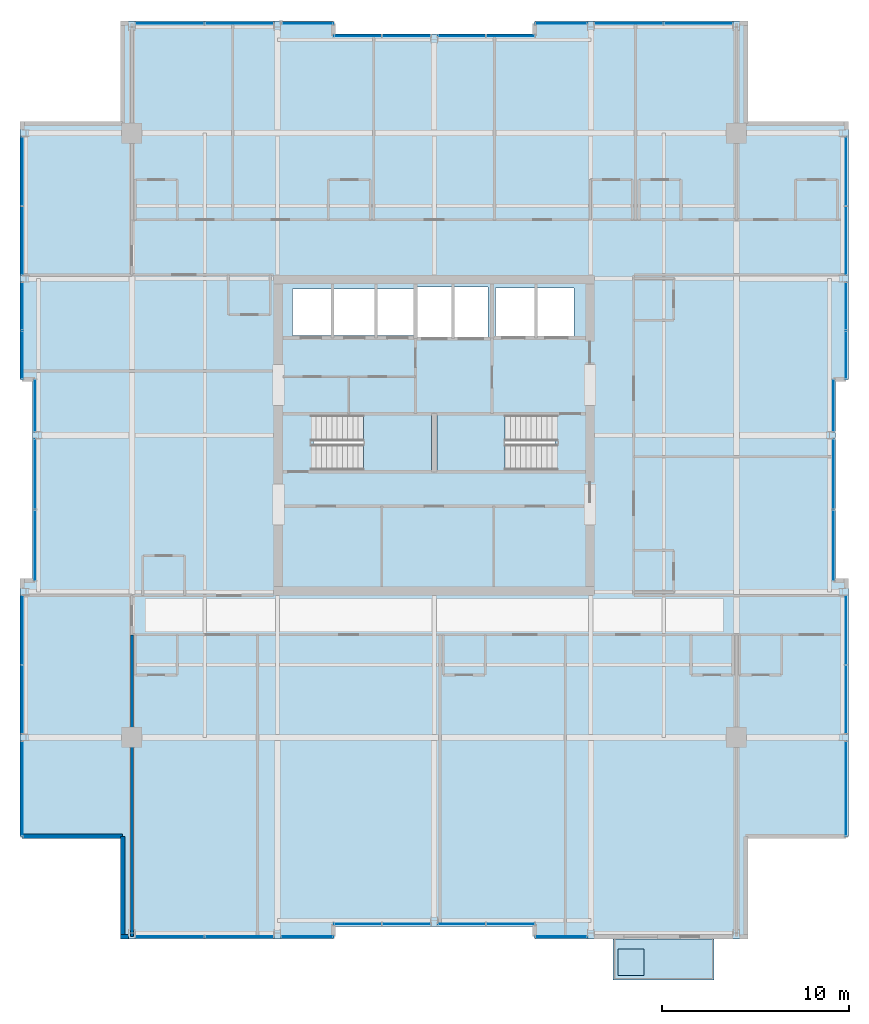
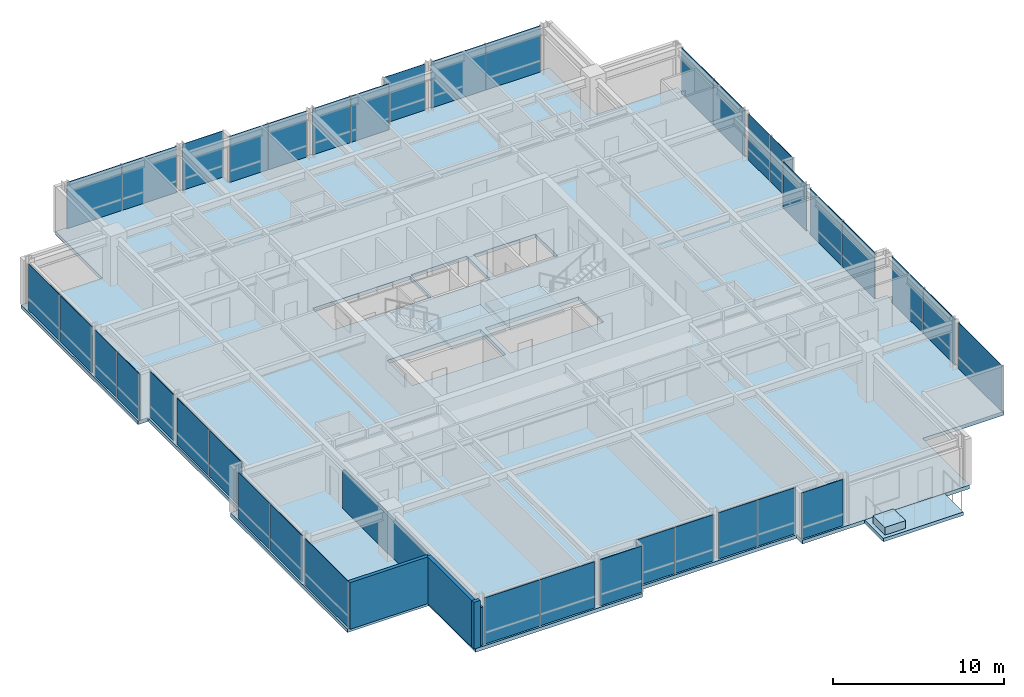
# One storey, part 25 of 31: 38 plates, 5 slabs, 4 walls, 25 elements without a shape of their own.
"""IFC4 building model written with IfcOpenShell, lengths in metres."""

from ifc_helpers import new_model, si_unit, direction, frame, frame_2d, origin, origin_2d, place, context, subcontext, project, spatial, polyline, rectangle, outline, extrude, material, layer, layer_set, type_object, element, aggregate, save


model = new_model("IFC4")

# Units and contexts
model_context = context("Model", 3, precision=1e-05, world=origin(), true_north=direction((0.0, 1.0)))
body_context = subcontext(model_context, "Body", "Model", "MODEL_VIEW")
ifc_project = project(units=[si_unit("LENGTHUNIT", "METRE"), si_unit("AREAUNIT", "SQUARE_METRE"), si_unit("VOLUMEUNIT", "CUBIC_METRE"), si_unit("PLANEANGLEUNIT", "RADIAN"), si_unit("MASSUNIT", "GRAM", prefix="KILO")], contexts=[model_context])

# Site, building, storey
site_placement = place(None, origin())
site = spatial("IfcSite", under=ifc_project, at=site_placement, CompositionType="ELEMENT")
building_placement = place(site_placement, origin())
building = spatial("IfcBuilding", under=site, at=building_placement, Name="Drelvath Grand Hotel", CompositionType="ELEMENT")
storey_placement = place(building_placement, frame((0.0, 0.0, 244.699951171875)))
storey = spatial("IfcBuildingStorey", under=building, at=storey_placement, Name="L64", CompositionType="ELEMENT", Elevation=244.699951171875)

# Slabs
ifc_material_1 = material(Name="Concrete f'c 40 MPa", Category="concrete")
ifc_layer_1 = layer(ifc_material_1, 0.239990234375)
ifc_layer_set_1 = layer_set([ifc_layer_1], Name="Concrete f'c 40 MPa")
slab_type_1 = type_object("IfcSlabType", Name="Cantilevered Tree Balcony Slab 240", PredefinedType="FLOOR", material=ifc_layer_set_1)
slab_1_placement = place(storey_placement, frame((0.0, 0.0, -0.239990234375)))
element("IfcSlab", 1, at=slab_1_placement, inside=storey, type_object=slab_type_1, Name="L64 Cantilevered Tree Balcony Slab 1", PredefinedType="FLOOR", context=body_context, shape_type="SweptSolid", body=[
    extrude(outline(polyline([(9.60009765625, -2.199951171875), (15.0, -2.199951171875), (15.0, 0.0), (9.60009765625, 0.0), (9.60009765625, -2.199951171875)])), origin(), (0.0, 0.0, 1.0), 0.239990234375),
])
ifc_layer_2 = layer(ifc_material_1, 0.260009765625)
ifc_layer_set_2 = layer_set([ifc_layer_2], Name="Concrete f'c 40 MPa")
slab_type_2 = type_object("IfcSlabType", Name="Composite RC Floor Slab 260", PredefinedType="FLOOR", material=ifc_layer_set_2)
slab_2_placement = place(storey_placement, frame((0.0, 0.0, -0.260009765625)))
element("IfcSlab", 2, at=slab_2_placement, inside=storey, type_object=slab_type_2, Name="L64 Structural Floor Slab", PredefinedType="FLOOR", context=body_context, shape_type="SweptSolid", body=[
    extrude(outline(polyline([(-16.699951171875, 0.0), (-5.39990234375, 0.0), (-5.39990234375, 0.679931640625), (5.39990234375, 0.679931640625), (5.39990234375, 0.0), (16.699951171875, 0.0), (16.699951171875, 5.5), (22.199951171875, 5.5), (22.199951171875, 19.199951171875), (21.52001953125, 19.199951171875), (21.52001953125, 30.0), (22.199951171875, 30.0), (22.199951171875, 43.699951171875), (16.699951171875, 43.699951171875), (16.699951171875, 49.199951171875), (5.39990234375, 49.199951171875), (5.39990234375, 48.52001953125), (-5.39990234375, 48.52001953125), (-5.39990234375, 49.199951171875), (-16.699951171875, 49.199951171875), (-16.699951171875, 43.699951171875), (-22.199951171875, 43.699951171875), (-22.199951171875, 30.0), (-21.52001953125, 30.0), (-21.52001953125, 19.199951171875), (-22.199951171875, 19.199951171875), (-22.199951171875, 5.5), (-16.699951171875, 5.5), (-16.699951171875, 0.0)]), holes=[polyline([(-6.47998046875, 25.1201171875), (-6.47998046875, 28.080078125), (-0.14990234375, 28.080078125), (-0.14990234375, 25.1201171875), (-6.47998046875, 25.1201171875)]), polyline([(0.14990234375, 25.1201171875), (0.14990234375, 28.080078125), (6.47998046875, 28.080078125), (6.47998046875, 25.1201171875), (0.14990234375, 25.1201171875)]), polyline([(-7.60009765625, 32.35009765625), (-7.60009765625, 34.85009765625), (-1.02001953125, 34.85009765625), (-1.02001953125, 32.35009765625), (-7.60009765625, 32.35009765625)]), polyline([(-0.89990234375, 32.25), (-0.89990234375, 34.949951171875), (2.89990234375, 34.949951171875), (2.89990234375, 32.25), (-0.89990234375, 32.25)]), polyline([(3.300048828125, 32.300048828125), (3.300048828125, 34.89990234375), (7.5, 34.89990234375), (7.5, 32.300048828125), (3.300048828125, 32.300048828125)])]), origin(), (0.0, 0.0, 1.0), 0.260009765625),
])

# Stair, slab
ifc_material_2 = material(Name="Concrete C40/50", Category="concrete")
stair_type = type_object("IfcStairType", Name="Dogleg Exit Stair W1400-R163.6", PredefinedType="HALF_TURN_STAIR", material=ifc_material_2)
stair_1_placement = place(storey_placement, origin())
stair_1 = element("IfcStair", 3, at=stair_1_placement, inside=storey, type_object=stair_type, Name="L64 Core Exit Stair ST-1", PredefinedType="HALF_TURN_STAIR")
ifc_layer_3 = layer(ifc_material_2, 0.199951171875)
ifc_layer_set_3 = layer_set([ifc_layer_3], Name="Concrete C40/50")
slab_type_3 = type_object("IfcSlabType", Name="Concrete Stair Landing Slab 200", PredefinedType="LANDING", material=ifc_layer_set_3)
slab_3_placement = place(storey_placement, frame((0.0, 0.0, 1.60009765625)))
slab_3 = element("IfcSlab", 4, at=slab_3_placement, type_object=slab_type_3, Name="ST-1 landing 1", PredefinedType="LANDING", context=body_context, shape_type="SweptSolid", body=[
    extrude(outline(polyline([(-3.800048828125, 25.1201171875), (-0.14990234375, 25.1201171875), (-0.14990234375, 28.080078125), (-3.800048828125, 28.080078125), (-3.800048828125, 25.1201171875)])), origin(), (0.0, 0.0, 1.0), 0.199951171875),
])
aggregate(stair_1, [slab_3])

stair_2_placement = place(storey_placement, origin())
stair_2 = element("IfcStair", 5, at=stair_2_placement, inside=storey, type_object=stair_type, Name="L64 Core Exit Stair ST-2", PredefinedType="HALF_TURN_STAIR")
slab_4_placement = place(storey_placement, frame((0.0, 0.0, 1.60009765625)))
slab_4 = element("IfcSlab", 6, at=slab_4_placement, type_object=slab_type_3, Name="ST-2 landing 1", PredefinedType="LANDING", context=body_context, shape_type="SweptSolid", body=[
    extrude(outline(polyline([(3.800048828125, 28.080078125), (0.14990234375, 28.080078125), (0.14990234375, 25.1201171875), (3.800048828125, 25.1201171875), (3.800048828125, 28.080078125)])), origin(), (0.0, 0.0, 1.0), 0.199951171875),
])
aggregate(stair_2, [slab_4])

# Curtain wall, plate
ifc_material_3 = material(Name="Platinum-Mist Anodised Aluminium Frame", Category="aluminium")
ifc_layer_4 = layer(ifc_material_3, 0.199951171875)
ifc_layer_set_4 = layer_set([ifc_layer_4], Name="Platinum-Mist Anodised Aluminium Frame")
curtain_wall_type = type_object("IfcCurtainWallType", Name="Stick Curtain Wall CW-05 Platinum Mist High-Rise", PredefinedType="NOTDEFINED", material=ifc_layer_set_4)
curtain_wall_1_placement = place(storey_placement, origin())
curtain_wall_1 = element("IfcCurtainWall", 7, at=curtain_wall_1_placement, inside=storey, type_object=curtain_wall_type, Name="L64 CW-05 Curtain Wall CW05-L64-WS1", PredefinedType="NOTDEFINED")
ifc_material_4 = material(Name="Low-E Triple Silver High-Altitude Glass", Category="glass")
ifc_layer_5 = layer(ifc_material_4, 0.035888671875)
ifc_layer_set_5 = layer_set([ifc_layer_5], Name="Low-E Triple Silver High-Altitude Glass")
plate_type = type_object("IfcPlateType", Name="Curtain Wall Vision Panel CW-05 36mm", PredefinedType="CURTAIN_PANEL", material=ifc_layer_set_5)
plate_1_placement = place(storey_placement, frame((-22.080078125, 8.060791015625, 0.02001953125), z_axis=(0.0, 0.0, 1.0), x_axis=(0.0, 1.0, 0.0)))
plate_1 = element("IfcPlate", 8, at=plate_1_placement, type_object=plate_type, Name="CW05-L64-WS1 Glazed Panel 1", PredefinedType="CURTAIN_PANEL", context=body_context, shape_type="SweptSolid", body=[
    extrude(rectangle(XDim=5.081787109375, YDim=0.035888671875, at=origin_2d()), origin(), (0.0, 0.0, 1.0), 3.300048828125),
])
aggregate(curtain_wall_1, [plate_1])

# Curtain wall, plates
curtain_wall_2_placement = place(storey_placement, origin())
curtain_wall_2 = element("IfcCurtainWall", 9, at=curtain_wall_2_placement, inside=storey, type_object=curtain_wall_type, Name="L64 CW-05 Curtain Wall CW05-L64-WS2", PredefinedType="NOTDEFINED")
plate_2_placement = place(storey_placement, frame((-22.080078125, 12.839111328125, 0.02001953125), z_axis=(0.0, 0.0, 1.0), x_axis=(0.0, 1.0, 0.0)))
plate_2 = element("IfcPlate", 10, at=plate_2_placement, type_object=plate_type, Name="CW05-L64-WS2 Glazed Panel 1", PredefinedType="CURTAIN_PANEL", context=body_context, shape_type="SweptSolid", body=[
    extrude(rectangle(XDim=3.681884765625, YDim=0.035888671875, at=origin_2d()), origin(), (0.0, 0.0, 1.0), 3.300048828125),
])
plate_3_placement = place(storey_placement, frame((-22.080078125, 16.560791015625, 0.02001953125), z_axis=(0.0, 0.0, 1.0), x_axis=(0.0, 1.0, 0.0)))
plate_3 = element("IfcPlate", 11, at=plate_3_placement, type_object=plate_type, Name="CW05-L64-WS2 Glazed Panel 2", PredefinedType="CURTAIN_PANEL", context=body_context, shape_type="SweptSolid", body=[
    extrude(rectangle(XDim=3.681884765625, YDim=0.035888671875, at=origin_2d()), origin(), (0.0, 0.0, 1.0), 3.300048828125),
])
aggregate(curtain_wall_2, [plate_2, plate_3])

curtain_wall_3_placement = place(storey_placement, origin())
curtain_wall_3 = element("IfcCurtainWall", 12, at=curtain_wall_3_placement, inside=storey, type_object=curtain_wall_type, Name="L64 CW-05 Curtain Wall CW05-L64-WM1", PredefinedType="NOTDEFINED")
plate_4_placement = place(storey_placement, frame((-21.39990234375, 21.10546875, 0.02001953125), z_axis=(0.0, 0.0, 1.0), x_axis=(0.0, 1.0, 0.0)))
plate_4 = element("IfcPlate", 13, at=plate_4_placement, type_object=plate_type, Name="CW05-L64-WM1 Glazed Panel 1", PredefinedType="CURTAIN_PANEL", context=body_context, shape_type="SweptSolid", body=[
    extrude(rectangle(XDim=3.77099609375, YDim=0.035888671875, at=origin_2d()), origin(), (0.0, 0.0, 1.0), 3.300048828125),
])
plate_5_placement = place(storey_placement, frame((-21.39990234375, 24.91650390625, 0.02001953125), z_axis=(0.0, 0.0, 1.0), x_axis=(0.0, 1.0, 0.0)))
plate_5 = element("IfcPlate", 14, at=plate_5_placement, type_object=plate_type, Name="CW05-L64-WM1 Glazed Panel 2", PredefinedType="CURTAIN_PANEL", context=body_context, shape_type="SweptSolid", body=[
    extrude(rectangle(XDim=3.77099609375, YDim=0.035888671875, at=origin_2d()), origin(), (0.0, 0.0, 1.0), 3.300048828125),
])
aggregate(curtain_wall_3, [plate_4, plate_5])

# Curtain wall, plate
curtain_wall_4_placement = place(storey_placement, origin())
curtain_wall_4 = element("IfcCurtainWall", 15, at=curtain_wall_4_placement, inside=storey, type_object=curtain_wall_type, Name="L64 CW-05 Curtain Wall CW05-L64-WM2", PredefinedType="NOTDEFINED")
plate_6_placement = place(storey_placement, frame((-21.39990234375, 28.589111328125, 0.02001953125), z_axis=(0.0, 0.0, 1.0), x_axis=(0.0, 1.0, 0.0)))
plate_6 = element("IfcPlate", 16, at=plate_6_placement, type_object=plate_type, Name="CW05-L64-WM2 Glazed Panel 1", PredefinedType="CURTAIN_PANEL", context=body_context, shape_type="SweptSolid", body=[
    extrude(rectangle(XDim=2.78173828125, YDim=0.035888671875, at=origin_2d()), origin(), (0.0, 0.0, 1.0), 3.300048828125),
])
aggregate(curtain_wall_4, [plate_6])

# Curtain wall, plates
curtain_wall_5_placement = place(storey_placement, origin())
curtain_wall_5 = element("IfcCurtainWall", 17, at=curtain_wall_5_placement, inside=storey, type_object=curtain_wall_type, Name="L64 CW-05 Curtain Wall CW05-L64-WN1", PredefinedType="NOTDEFINED")
plate_7_placement = place(storey_placement, frame((-22.080078125, 31.305419921875, 0.02001953125), z_axis=(0.0, 0.0, 1.0), x_axis=(0.0, 1.0, 0.0)))
plate_7 = element("IfcPlate", 18, at=plate_7_placement, type_object=plate_type, Name="CW05-L64-WN1 Glazed Panel 1", PredefinedType="CURTAIN_PANEL", context=body_context, shape_type="SweptSolid", body=[
    extrude(rectangle(XDim=2.57080078125, YDim=0.035888671875, at=origin_2d()), origin(), (0.0, 0.0, 1.0), 3.300048828125),
])
plate_8_placement = place(storey_placement, frame((-22.080078125, 33.91650390625, 0.02001953125), z_axis=(0.0, 0.0, 1.0), x_axis=(0.0, 1.0, 0.0)))
plate_8 = element("IfcPlate", 19, at=plate_8_placement, type_object=plate_type, Name="CW05-L64-WN1 Glazed Panel 2", PredefinedType="CURTAIN_PANEL", context=body_context, shape_type="SweptSolid", body=[
    extrude(rectangle(XDim=2.57080078125, YDim=0.035888671875, at=origin_2d()), origin(), (0.0, 0.0, 1.0), 3.300048828125),
])
aggregate(curtain_wall_5, [plate_7, plate_8])

curtain_wall_6_placement = place(storey_placement, origin())
curtain_wall_6 = element("IfcCurtainWall", 20, at=curtain_wall_6_placement, inside=storey, type_object=curtain_wall_type, Name="L64 CW-05 Curtain Wall CW05-L64-WN2", PredefinedType="NOTDEFINED")
plate_9_placement = place(storey_placement, frame((-22.080078125, 37.439208984375, 0.02001953125), z_axis=(0.0, 0.0, 1.0), x_axis=(0.0, 1.0, 0.0)))
plate_9 = element("IfcPlate", 21, at=plate_9_placement, type_object=plate_type, Name="CW05-L64-WN2 Glazed Panel 1", PredefinedType="CURTAIN_PANEL", context=body_context, shape_type="SweptSolid", body=[
    extrude(rectangle(XDim=3.681884765625, YDim=0.035888671875, at=origin_2d()), origin(), (0.0, 0.0, 1.0), 3.300048828125),
])
plate_10_placement = place(storey_placement, frame((-22.080078125, 41.160888671875, 0.02001953125), z_axis=(0.0, 0.0, 1.0), x_axis=(0.0, 1.0, 0.0)))
plate_10 = element("IfcPlate", 22, at=plate_10_placement, type_object=plate_type, Name="CW05-L64-WN2 Glazed Panel 2", PredefinedType="CURTAIN_PANEL", context=body_context, shape_type="SweptSolid", body=[
    extrude(rectangle(XDim=3.681884765625, YDim=0.035888671875, at=origin_2d()), origin(), (0.0, 0.0, 1.0), 3.300048828125),
])
aggregate(curtain_wall_6, [plate_9, plate_10])

curtain_wall_7_placement = place(storey_placement, origin())
curtain_wall_7 = element("IfcCurtainWall", 23, at=curtain_wall_7_placement, inside=storey, type_object=curtain_wall_type, Name="L64 CW-05 Curtain Wall CW05-L64-EN1", PredefinedType="NOTDEFINED")
plate_11_placement = place(storey_placement, frame((22.080078125, 33.91650390625, 0.02001953125), z_axis=(0.0, 0.0, 1.0), x_axis=(0.0, -1.0, 0.0)))
plate_11 = element("IfcPlate", 24, at=plate_11_placement, type_object=plate_type, Name="CW05-L64-EN1 Glazed Panel 1", PredefinedType="CURTAIN_PANEL", context=body_context, shape_type="SweptSolid", body=[
    extrude(rectangle(XDim=2.57080078125, YDim=0.035888671875, at=origin_2d()), origin(), (0.0, 0.0, 1.0), 3.300048828125),
])
plate_12_placement = place(storey_placement, frame((22.080078125, 31.305419921875, 0.02001953125), z_axis=(0.0, 0.0, 1.0), x_axis=(0.0, -1.0, 0.0)))
plate_12 = element("IfcPlate", 25, at=plate_12_placement, type_object=plate_type, Name="CW05-L64-EN1 Glazed Panel 2", PredefinedType="CURTAIN_PANEL", context=body_context, shape_type="SweptSolid", body=[
    extrude(rectangle(XDim=2.57080078125, YDim=0.035888671875, at=origin_2d()), origin(), (0.0, 0.0, 1.0), 3.300048828125),
])
aggregate(curtain_wall_7, [plate_11, plate_12])

curtain_wall_8_placement = place(storey_placement, origin())
curtain_wall_8 = element("IfcCurtainWall", 26, at=curtain_wall_8_placement, inside=storey, type_object=curtain_wall_type, Name="L64 CW-05 Curtain Wall CW05-L64-EN2", PredefinedType="NOTDEFINED")
plate_13_placement = place(storey_placement, frame((22.080078125, 41.160888671875, 0.02001953125), z_axis=(0.0, 0.0, 1.0), x_axis=(0.0, -1.0, 0.0)))
plate_13 = element("IfcPlate", 27, at=plate_13_placement, type_object=plate_type, Name="CW05-L64-EN2 Glazed Panel 1", PredefinedType="CURTAIN_PANEL", context=body_context, shape_type="SweptSolid", body=[
    extrude(rectangle(XDim=3.681884765625, YDim=0.035888671875, at=origin_2d()), origin(), (0.0, 0.0, 1.0), 3.300048828125),
])
plate_14_placement = place(storey_placement, frame((22.080078125, 37.439208984375, 0.02001953125), z_axis=(0.0, 0.0, 1.0), x_axis=(0.0, -1.0, 0.0)))
plate_14 = element("IfcPlate", 28, at=plate_14_placement, type_object=plate_type, Name="CW05-L64-EN2 Glazed Panel 2", PredefinedType="CURTAIN_PANEL", context=body_context, shape_type="SweptSolid", body=[
    extrude(rectangle(XDim=3.681884765625, YDim=0.035888671875, at=origin_2d()), origin(), (0.0, 0.0, 1.0), 3.300048828125),
])
aggregate(curtain_wall_8, [plate_13, plate_14])

curtain_wall_9_placement = place(storey_placement, origin())
curtain_wall_9 = element("IfcCurtainWall", 29, at=curtain_wall_9_placement, inside=storey, type_object=curtain_wall_type, Name="L64 CW-05 Curtain Wall CW05-L64-EM1", PredefinedType="NOTDEFINED")
plate_15_placement = place(storey_placement, frame((21.39990234375, 24.91650390625, 0.02001953125), z_axis=(0.0, 0.0, 1.0), x_axis=(0.0, -1.0, 0.0)))
plate_15 = element("IfcPlate", 30, at=plate_15_placement, type_object=plate_type, Name="CW05-L64-EM1 Glazed Panel 1", PredefinedType="CURTAIN_PANEL", context=body_context, shape_type="SweptSolid", body=[
    extrude(rectangle(XDim=3.77099609375, YDim=0.035888671875, at=origin_2d()), origin(), (0.0, 0.0, 1.0), 3.300048828125),
])
plate_16_placement = place(storey_placement, frame((21.39990234375, 21.10546875, 0.02001953125), z_axis=(0.0, 0.0, 1.0), x_axis=(0.0, -1.0, 0.0)))
plate_16 = element("IfcPlate", 31, at=plate_16_placement, type_object=plate_type, Name="CW05-L64-EM1 Glazed Panel 2", PredefinedType="CURTAIN_PANEL", context=body_context, shape_type="SweptSolid", body=[
    extrude(rectangle(XDim=3.77099609375, YDim=0.035888671875, at=origin_2d()), origin(), (0.0, 0.0, 1.0), 3.300048828125),
])
aggregate(curtain_wall_9, [plate_15, plate_16])

# Curtain wall, plate
curtain_wall_10_placement = place(storey_placement, origin())
curtain_wall_10 = element("IfcCurtainWall", 32, at=curtain_wall_10_placement, inside=storey, type_object=curtain_wall_type, Name="L64 CW-05 Curtain Wall CW05-L64-EM2", PredefinedType="NOTDEFINED")
plate_17_placement = place(storey_placement, frame((21.39990234375, 28.589111328125, 0.02001953125), z_axis=(0.0, 0.0, 1.0), x_axis=(0.0, -1.0, 0.0)))
plate_17 = element("IfcPlate", 33, at=plate_17_placement, type_object=plate_type, Name="CW05-L64-EM2 Glazed Panel 1", PredefinedType="CURTAIN_PANEL", context=body_context, shape_type="SweptSolid", body=[
    extrude(rectangle(XDim=2.78173828125, YDim=0.035888671875, at=origin_2d()), origin(), (0.0, 0.0, 1.0), 3.300048828125),
])
aggregate(curtain_wall_10, [plate_17])

curtain_wall_11_placement = place(storey_placement, origin())
curtain_wall_11 = element("IfcCurtainWall", 34, at=curtain_wall_11_placement, inside=storey, type_object=curtain_wall_type, Name="L64 CW-05 Curtain Wall CW05-L64-ES1", PredefinedType="NOTDEFINED")
plate_18_placement = place(storey_placement, frame((22.080078125, 8.060791015625, 0.02001953125), z_axis=(0.0, 0.0, 1.0), x_axis=(0.0, -1.0, 0.0)))
plate_18 = element("IfcPlate", 35, at=plate_18_placement, type_object=plate_type, Name="CW05-L64-ES1 Glazed Panel 1", PredefinedType="CURTAIN_PANEL", context=body_context, shape_type="SweptSolid", body=[
    extrude(rectangle(XDim=5.081787109375, YDim=0.035888671875, at=origin_2d()), origin(), (0.0, 0.0, 1.0), 3.300048828125),
])
aggregate(curtain_wall_11, [plate_18])

# Curtain wall, plates
curtain_wall_12_placement = place(storey_placement, origin())
curtain_wall_12 = element("IfcCurtainWall", 36, at=curtain_wall_12_placement, inside=storey, type_object=curtain_wall_type, Name="L64 CW-05 Curtain Wall CW05-L64-ES2", PredefinedType="NOTDEFINED")
plate_19_placement = place(storey_placement, frame((22.080078125, 16.560791015625, 0.02001953125), z_axis=(0.0, 0.0, 1.0), x_axis=(0.0, -1.0, 0.0)))
plate_19 = element("IfcPlate", 37, at=plate_19_placement, type_object=plate_type, Name="CW05-L64-ES2 Glazed Panel 1", PredefinedType="CURTAIN_PANEL", context=body_context, shape_type="SweptSolid", body=[
    extrude(rectangle(XDim=3.681884765625, YDim=0.035888671875, at=origin_2d()), origin(), (0.0, 0.0, 1.0), 3.300048828125),
])
plate_20_placement = place(storey_placement, frame((22.080078125, 12.839111328125, 0.02001953125), z_axis=(0.0, 0.0, 1.0), x_axis=(0.0, -1.0, 0.0)))
plate_20 = element("IfcPlate", 38, at=plate_20_placement, type_object=plate_type, Name="CW05-L64-ES2 Glazed Panel 2", PredefinedType="CURTAIN_PANEL", context=body_context, shape_type="SweptSolid", body=[
    extrude(rectangle(XDim=3.681884765625, YDim=0.035888671875, at=origin_2d()), origin(), (0.0, 0.0, 1.0), 3.300048828125),
])
aggregate(curtain_wall_12, [plate_19, plate_20])

curtain_wall_13_placement = place(storey_placement, origin())
curtain_wall_13 = element("IfcCurtainWall", 39, at=curtain_wall_13_placement, inside=storey, type_object=curtain_wall_type, Name="L64 CW-05 Curtain Wall CW05-L64-NW2", PredefinedType="NOTDEFINED")
plate_21_placement = place(storey_placement, frame((-14.160888671875, 49.080078125, 0.02001953125), z_axis=(0.0, 0.0, 1.0), x_axis=(1.0, 0.0, 0.0)))
plate_21 = element("IfcPlate", 40, at=plate_21_placement, type_object=plate_type, Name="CW05-L64-NW2 Glazed Panel 1", PredefinedType="CURTAIN_PANEL", context=body_context, shape_type="SweptSolid", body=[
    extrude(rectangle(XDim=3.681884765625, YDim=0.035888671875, at=origin_2d()), origin(), (0.0, 0.0, 1.0), 3.300048828125),
])
plate_22_placement = place(storey_placement, frame((-10.439208984375, 49.080078125, 0.02001953125), z_axis=(0.0, 0.0, 1.0), x_axis=(1.0, 0.0, 0.0)))
plate_22 = element("IfcPlate", 41, at=plate_22_placement, type_object=plate_type, Name="CW05-L64-NW2 Glazed Panel 2", PredefinedType="CURTAIN_PANEL", context=body_context, shape_type="SweptSolid", body=[
    extrude(rectangle(XDim=3.681884765625, YDim=0.035888671875, at=origin_2d()), origin(), (0.0, 0.0, 1.0), 3.300048828125),
])
aggregate(curtain_wall_13, [plate_21, plate_22])

# Curtain wall, plate
curtain_wall_14_placement = place(storey_placement, origin())
curtain_wall_14 = element("IfcCurtainWall", 42, at=curtain_wall_14_placement, inside=storey, type_object=curtain_wall_type, Name="L64 CW-05 Curtain Wall CW05-L64-NW3", PredefinedType="NOTDEFINED")
plate_23_placement = place(storey_placement, frame((-6.810791015625, 49.080078125, 0.02001953125), z_axis=(0.0, 0.0, 1.0), x_axis=(1.0, 0.0, 0.0)))
plate_23 = element("IfcPlate", 43, at=plate_23_placement, type_object=plate_type, Name="CW05-L64-NW3 Glazed Panel 1", PredefinedType="CURTAIN_PANEL", context=body_context, shape_type="SweptSolid", body=[
    extrude(rectangle(XDim=2.78173828125, YDim=0.035888671875, at=origin_2d()), origin(), (0.0, 0.0, 1.0), 3.300048828125),
])
aggregate(curtain_wall_14, [plate_23])

# Curtain wall, plates
curtain_wall_15_placement = place(storey_placement, origin())
curtain_wall_15 = element("IfcCurtainWall", 44, at=curtain_wall_15_placement, inside=storey, type_object=curtain_wall_type, Name="L64 CW-05 Curtain Wall CW05-L64-NM1", PredefinedType="NOTDEFINED")
plate_24_placement = place(storey_placement, frame((-4.094482421875, 48.39990234375, 0.02001953125), z_axis=(0.0, 0.0, 1.0), x_axis=(1.0, 0.0, 0.0)))
plate_24 = element("IfcPlate", 45, at=plate_24_placement, type_object=plate_type, Name="CW05-L64-NM1 Glazed Panel 1", PredefinedType="CURTAIN_PANEL", context=body_context, shape_type="SweptSolid", body=[
    extrude(rectangle(XDim=2.57080078125, YDim=0.035888671875, at=origin_2d()), origin(), (0.0, 0.0, 1.0), 3.300048828125),
])
plate_25_placement = place(storey_placement, frame((-1.483642578125, 48.39990234375, 0.02001953125), z_axis=(0.0, 0.0, 1.0), x_axis=(1.0, 0.0, 0.0)))
plate_25 = element("IfcPlate", 46, at=plate_25_placement, type_object=plate_type, Name="CW05-L64-NM1 Glazed Panel 2", PredefinedType="CURTAIN_PANEL", context=body_context, shape_type="SweptSolid", body=[
    extrude(rectangle(XDim=2.57080078125, YDim=0.035888671875, at=origin_2d()), origin(), (0.0, 0.0, 1.0), 3.300048828125),
])
aggregate(curtain_wall_15, [plate_24, plate_25])

curtain_wall_16_placement = place(storey_placement, origin())
curtain_wall_16 = element("IfcCurtainWall", 47, at=curtain_wall_16_placement, inside=storey, type_object=curtain_wall_type, Name="L64 CW-05 Curtain Wall CW05-L64-NM2", PredefinedType="NOTDEFINED")
plate_26_placement = place(storey_placement, frame((1.483642578125, 48.39990234375, 0.02001953125), z_axis=(0.0, 0.0, 1.0), x_axis=(1.0, 0.0, 0.0)))
plate_26 = element("IfcPlate", 48, at=plate_26_placement, type_object=plate_type, Name="CW05-L64-NM2 Glazed Panel 1", PredefinedType="CURTAIN_PANEL", context=body_context, shape_type="SweptSolid", body=[
    extrude(rectangle(XDim=2.57080078125, YDim=0.035888671875, at=origin_2d()), origin(), (0.0, 0.0, 1.0), 3.300048828125),
])
plate_27_placement = place(storey_placement, frame((4.094482421875, 48.39990234375, 0.02001953125), z_axis=(0.0, 0.0, 1.0), x_axis=(1.0, 0.0, 0.0)))
plate_27 = element("IfcPlate", 49, at=plate_27_placement, type_object=plate_type, Name="CW05-L64-NM2 Glazed Panel 2", PredefinedType="CURTAIN_PANEL", context=body_context, shape_type="SweptSolid", body=[
    extrude(rectangle(XDim=2.57080078125, YDim=0.035888671875, at=origin_2d()), origin(), (0.0, 0.0, 1.0), 3.300048828125),
])
aggregate(curtain_wall_16, [plate_26, plate_27])

# Curtain wall, plate
curtain_wall_17_placement = place(storey_placement, origin())
curtain_wall_17 = element("IfcCurtainWall", 50, at=curtain_wall_17_placement, inside=storey, type_object=curtain_wall_type, Name="L64 CW-05 Curtain Wall CW05-L64-NE1", PredefinedType="NOTDEFINED")
plate_28_placement = place(storey_placement, frame((6.810791015625, 49.080078125, 0.02001953125), z_axis=(0.0, 0.0, 1.0), x_axis=(1.0, 0.0, 0.0)))
plate_28 = element("IfcPlate", 51, at=plate_28_placement, type_object=plate_type, Name="CW05-L64-NE1 Glazed Panel 1", PredefinedType="CURTAIN_PANEL", context=body_context, shape_type="SweptSolid", body=[
    extrude(rectangle(XDim=2.78173828125, YDim=0.035888671875, at=origin_2d()), origin(), (0.0, 0.0, 1.0), 3.300048828125),
])
aggregate(curtain_wall_17, [plate_28])

# Curtain wall, plates
curtain_wall_18_placement = place(storey_placement, origin())
curtain_wall_18 = element("IfcCurtainWall", 52, at=curtain_wall_18_placement, inside=storey, type_object=curtain_wall_type, Name="L64 CW-05 Curtain Wall CW05-L64-NE2", PredefinedType="NOTDEFINED")
plate_29_placement = place(storey_placement, frame((10.439208984375, 49.080078125, 0.02001953125), z_axis=(0.0, 0.0, 1.0), x_axis=(1.0, 0.0, 0.0)))
plate_29 = element("IfcPlate", 53, at=plate_29_placement, type_object=plate_type, Name="CW05-L64-NE2 Glazed Panel 1", PredefinedType="CURTAIN_PANEL", context=body_context, shape_type="SweptSolid", body=[
    extrude(rectangle(XDim=3.681884765625, YDim=0.035888671875, at=origin_2d()), origin(), (0.0, 0.0, 1.0), 3.300048828125),
])
plate_30_placement = place(storey_placement, frame((14.160888671875, 49.080078125, 0.02001953125), z_axis=(0.0, 0.0, 1.0), x_axis=(1.0, 0.0, 0.0)))
plate_30 = element("IfcPlate", 54, at=plate_30_placement, type_object=plate_type, Name="CW05-L64-NE2 Glazed Panel 2", PredefinedType="CURTAIN_PANEL", context=body_context, shape_type="SweptSolid", body=[
    extrude(rectangle(XDim=3.681884765625, YDim=0.035888671875, at=origin_2d()), origin(), (0.0, 0.0, 1.0), 3.300048828125),
])
aggregate(curtain_wall_18, [plate_29, plate_30])

# Curtain wall, plate
curtain_wall_19_placement = place(storey_placement, origin())
curtain_wall_19 = element("IfcCurtainWall", 55, at=curtain_wall_19_placement, inside=storey, type_object=curtain_wall_type, Name="L64 CW-05 Curtain Wall CW05-L64-SE1", PredefinedType="NOTDEFINED")
plate_31_placement = place(storey_placement, frame((6.810791015625, 0.1201171875, 0.02001953125), z_axis=(0.0, 0.0, 1.0), x_axis=(-1.0, 0.0, 0.0)))
plate_31 = element("IfcPlate", 56, at=plate_31_placement, type_object=plate_type, Name="CW05-L64-SE1 Glazed Panel 1", PredefinedType="CURTAIN_PANEL", context=body_context, shape_type="SweptSolid", body=[
    extrude(rectangle(XDim=2.78173828125, YDim=0.035888671875, at=origin_2d()), origin(), (0.0, 0.0, 1.0), 3.300048828125),
])
aggregate(curtain_wall_19, [plate_31])

# Curtain wall, plates
curtain_wall_20_placement = place(storey_placement, origin())
curtain_wall_20 = element("IfcCurtainWall", 57, at=curtain_wall_20_placement, inside=storey, type_object=curtain_wall_type, Name="L64 CW-05 Curtain Wall CW05-L64-SM1", PredefinedType="NOTDEFINED")
plate_32_placement = place(storey_placement, frame((-1.483642578125, 0.800048828125, 0.02001953125), z_axis=(0.0, 0.0, 1.0), x_axis=(-1.0, 0.0, 0.0)))
plate_32 = element("IfcPlate", 58, at=plate_32_placement, type_object=plate_type, Name="CW05-L64-SM1 Glazed Panel 1", PredefinedType="CURTAIN_PANEL", context=body_context, shape_type="SweptSolid", body=[
    extrude(rectangle(XDim=2.57080078125, YDim=0.035888671875, at=origin_2d()), origin(), (0.0, 0.0, 1.0), 3.300048828125),
])
plate_33_placement = place(storey_placement, frame((-4.094482421875, 0.800048828125, 0.02001953125), z_axis=(0.0, 0.0, 1.0), x_axis=(-1.0, 0.0, 0.0)))
plate_33 = element("IfcPlate", 59, at=plate_33_placement, type_object=plate_type, Name="CW05-L64-SM1 Glazed Panel 2", PredefinedType="CURTAIN_PANEL", context=body_context, shape_type="SweptSolid", body=[
    extrude(rectangle(XDim=2.57080078125, YDim=0.035888671875, at=origin_2d()), origin(), (0.0, 0.0, 1.0), 3.300048828125),
])
aggregate(curtain_wall_20, [plate_32, plate_33])

curtain_wall_21_placement = place(storey_placement, origin())
curtain_wall_21 = element("IfcCurtainWall", 60, at=curtain_wall_21_placement, inside=storey, type_object=curtain_wall_type, Name="L64 CW-05 Curtain Wall CW05-L64-SM2", PredefinedType="NOTDEFINED")
plate_34_placement = place(storey_placement, frame((4.094482421875, 0.800048828125, 0.02001953125), z_axis=(0.0, 0.0, 1.0), x_axis=(-1.0, 0.0, 0.0)))
plate_34 = element("IfcPlate", 61, at=plate_34_placement, type_object=plate_type, Name="CW05-L64-SM2 Glazed Panel 1", PredefinedType="CURTAIN_PANEL", context=body_context, shape_type="SweptSolid", body=[
    extrude(rectangle(XDim=2.57080078125, YDim=0.035888671875, at=origin_2d()), origin(), (0.0, 0.0, 1.0), 3.300048828125),
])
plate_35_placement = place(storey_placement, frame((1.483642578125, 0.800048828125, 0.02001953125), z_axis=(0.0, 0.0, 1.0), x_axis=(-1.0, 0.0, 0.0)))
plate_35 = element("IfcPlate", 62, at=plate_35_placement, type_object=plate_type, Name="CW05-L64-SM2 Glazed Panel 2", PredefinedType="CURTAIN_PANEL", context=body_context, shape_type="SweptSolid", body=[
    extrude(rectangle(XDim=2.57080078125, YDim=0.035888671875, at=origin_2d()), origin(), (0.0, 0.0, 1.0), 3.300048828125),
])
aggregate(curtain_wall_21, [plate_34, plate_35])

curtain_wall_22_placement = place(storey_placement, origin())
curtain_wall_22 = element("IfcCurtainWall", 63, at=curtain_wall_22_placement, inside=storey, type_object=curtain_wall_type, Name="L64 CW-05 Curtain Wall CW05-L64-SW2", PredefinedType="NOTDEFINED")
plate_36_placement = place(storey_placement, frame((-10.439208984375, 0.1201171875, 0.02001953125), z_axis=(0.0, 0.0, 1.0), x_axis=(-1.0, 0.0, 0.0)))
plate_36 = element("IfcPlate", 64, at=plate_36_placement, type_object=plate_type, Name="CW05-L64-SW2 Glazed Panel 1", PredefinedType="CURTAIN_PANEL", context=body_context, shape_type="SweptSolid", body=[
    extrude(rectangle(XDim=3.681884765625, YDim=0.035888671875, at=origin_2d()), origin(), (0.0, 0.0, 1.0), 3.300048828125),
])
plate_37_placement = place(storey_placement, frame((-14.160888671875, 0.1201171875, 0.02001953125), z_axis=(0.0, 0.0, 1.0), x_axis=(-1.0, 0.0, 0.0)))
plate_37 = element("IfcPlate", 65, at=plate_37_placement, type_object=plate_type, Name="CW05-L64-SW2 Glazed Panel 2", PredefinedType="CURTAIN_PANEL", context=body_context, shape_type="SweptSolid", body=[
    extrude(rectangle(XDim=3.681884765625, YDim=0.035888671875, at=origin_2d()), origin(), (0.0, 0.0, 1.0), 3.300048828125),
])
aggregate(curtain_wall_22, [plate_36, plate_37])

# Curtain wall, plate
curtain_wall_23_placement = place(storey_placement, origin())
curtain_wall_23 = element("IfcCurtainWall", 66, at=curtain_wall_23_placement, inside=storey, type_object=curtain_wall_type, Name="L64 CW-05 Curtain Wall CW05-L64-SW3", PredefinedType="NOTDEFINED")
plate_38_placement = place(storey_placement, frame((-6.810791015625, 0.1201171875, 0.02001953125), z_axis=(0.0, 0.0, 1.0), x_axis=(-1.0, 0.0, 0.0)))
plate_38 = element("IfcPlate", 67, at=plate_38_placement, type_object=plate_type, Name="CW05-L64-SW3 Glazed Panel 1", PredefinedType="CURTAIN_PANEL", context=body_context, shape_type="SweptSolid", body=[
    extrude(rectangle(XDim=2.78173828125, YDim=0.035888671875, at=origin_2d()), origin(), (0.0, 0.0, 1.0), 3.300048828125),
])
aggregate(curtain_wall_23, [plate_38])

# Slab
ifc_layer_6 = layer(ifc_material_1, 0.550048828125)
ifc_layer_set_6 = layer_set([ifc_layer_6], Name="Concrete f'c 40 MPa")
slab_type_4 = type_object("IfcSlabType", Name="Structural Tree Planter Box 550", PredefinedType="USERDEFINED", material=ifc_layer_set_6)
slab_5_placement = place(storey_placement, origin())
element("IfcSlab", 68, at=slab_5_placement, inside=storey, type_object=slab_type_4, Name="L64 Tree Balcony Structural Planter 1", ObjectType="PLANTER", PredefinedType="USERDEFINED", context=body_context, shape_type="SweptSolid", body=[
    extrude(outline(polyline([(9.85009765625, -1.949951171875), (11.25, -1.949951171875), (11.25, -0.550048828125), (9.85009765625, -0.550048828125), (9.85009765625, -1.949951171875)])), origin(), (0.0, 0.0, 1.0), 0.550048828125),
])

# Walls
ifc_material_5 = material(Name="Gypsum Acoustic Partition")
ifc_layer_7 = layer(ifc_material_5, 0.1650390625)
ifc_layer_set_7 = layer_set([ifc_layer_7], Name="Gypsum Acoustic Partition")
wall_type_1 = type_object("IfcWallType", Name="Suite Demising Wall 165", PredefinedType="PARTITIONING", material=ifc_layer_set_7)
wall_1_placement = place(storey_placement, frame((-16.199951171875, 0.1201171875, 0.0), z_axis=(0.0, 0.0, 1.0), x_axis=(0.0, 1.0, 0.0)))
element("IfcWall", 69, at=wall_1_placement, inside=storey, type_object=wall_type_1, Name="L64 SW Suite Wall", PredefinedType="PARTITIONING", context=body_context, shape_type="SweptSolid", body=[
    extrude(rectangle(XDim=16.179931640625, YDim=0.1650390625, at=frame_2d((8.08984375, 0.0))), origin(), (0.0, 0.0, 1.0), 2.7138671875),
])
ifc_material_6 = material(Name="Pale-Metal Insulated Aluminium Spandrel Assembly", Category="aluminium")
ifc_layer_8 = layer(ifc_material_6, 0.239990234375)
ifc_layer_set_8 = layer_set([ifc_layer_8], Name="Pale-Metal Insulated Aluminium Spandrel Assembly")
wall_type_2 = type_object("IfcWallType", Name="Tower Insulated Metal Spandrel Closure Wall 240", PredefinedType="STANDARD", material=ifc_layer_set_8)
wall_2_placement = place(storey_placement, frame((-16.378173828125, 0.1201171875, 0.0), z_axis=(0.0, 0.0, 1.0), x_axis=(-1.0, 0.0, 0.0)))
element("IfcWall", 70, at=wall_2_placement, inside=storey, type_object=wall_type_2, Name="L64 Corner Pier Spandrel Wall SW1", PredefinedType="STANDARD", context=body_context, shape_type="SweptSolid", body=[
    extrude(rectangle(XDim=0.44189453125, YDim=0.239990234375, at=frame_2d((0.220947265625, 0.0))), origin(), (0.0, 0.0, 1.0), 3.340087890625),
])
wall_3_placement = place(storey_placement, frame((-16.699951171875, 0.239990234375, 0.0), z_axis=(0.0, 0.0, 1.0), x_axis=(0.0, 1.0, 0.0)))
element("IfcWall", 71, at=wall_3_placement, inside=storey, type_object=wall_type_2, Name="L64 Notched Corner Return Spandrel Wall CSW1", PredefinedType="STANDARD", context=body_context, shape_type="SweptSolid", body=[
    extrude(rectangle(XDim=5.260009765625, YDim=0.239990234375, at=frame_2d((2.6298828125, 0.0))), origin(), (0.0, 0.0, 1.0), 3.340087890625),
])
wall_4_placement = place(storey_placement, frame((-16.699951171875, 5.5, 0.0), z_axis=(0.0, 0.0, 1.0), x_axis=(-1.0, 0.0, 0.0)))
element("IfcWall", 72, at=wall_4_placement, inside=storey, type_object=wall_type_2, Name="L64 Notched Corner Return Spandrel Wall CSW2", PredefinedType="STANDARD", context=body_context, shape_type="SweptSolid", body=[
    extrude(rectangle(XDim=5.380126953125, YDim=0.239990234375, at=frame_2d((2.68994140625, 0.0))), origin(), (0.0, 0.0, 1.0), 3.340087890625),
])

save(model, "model.ifc")
